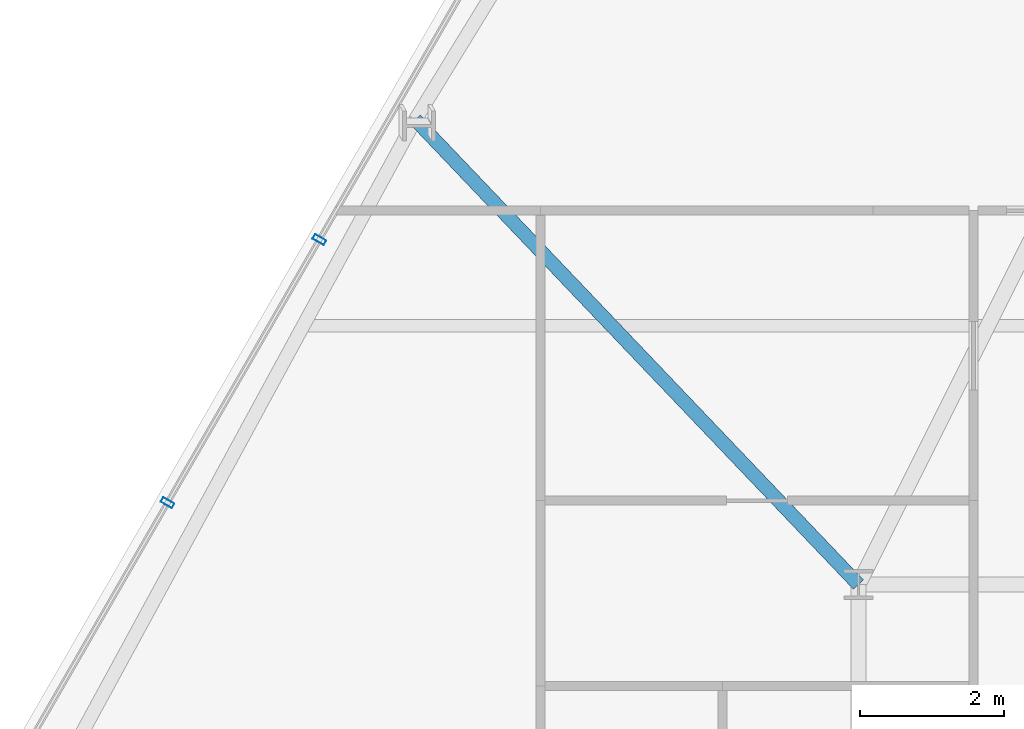
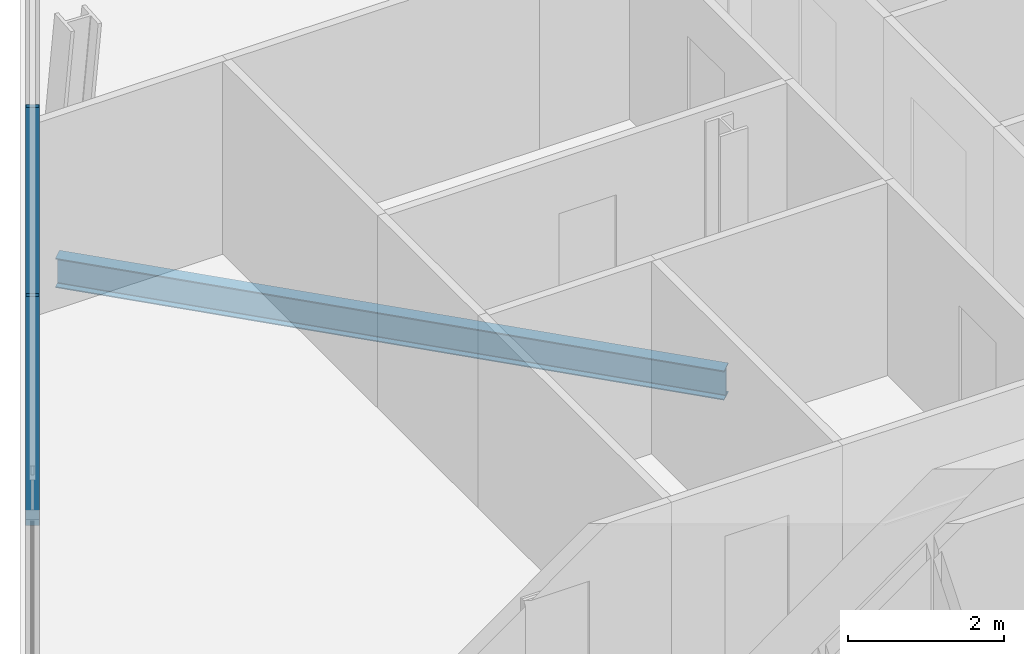
# One storey, part 10 of 33: 2 members, 1 beam, 1 element without a shape of its own.
"""IFC4 building model written with IfcOpenShell, lengths in metres."""

from ifc_helpers import new_model, si_unit, direction, frame, origin, origin_2d, place, context, subcontext, project, spatial, hollow_rectangle, i_section, extrude, material, layer, layer_set, material_profile, profile_set, type_object, element, aggregate, save


model = new_model("IFC4")

# Units and contexts
model_context = context("Model", 3, precision=1e-05, world=origin(), true_north=direction((0.0, 1.0)))
body_context = subcontext(model_context, "Body", "Model", "MODEL_VIEW")
ifc_project = project(units=[si_unit("LENGTHUNIT", "METRE"), si_unit("AREAUNIT", "SQUARE_METRE"), si_unit("VOLUMEUNIT", "CUBIC_METRE"), si_unit("PLANEANGLEUNIT", "RADIAN"), si_unit("MASSUNIT", "GRAM", prefix="KILO")], contexts=[model_context])

# Site, building, storey
site_placement = place(None, origin())
site = spatial("IfcSite", under=ifc_project, at=site_placement, CompositionType="ELEMENT")
building_placement = place(site_placement, origin())
building = spatial("IfcBuilding", under=site, at=building_placement, Name="Ndaravel Arena Tower", CompositionType="ELEMENT")
storey_placement = place(building_placement, frame((0.0, 0.0, 187.800048828125)))
storey = spatial("IfcBuildingStorey", under=building, at=storey_placement, Name="L45", CompositionType="ELEMENT", Elevation=187.800048828125)

# Beam
ifc_material_1 = material(Name="Steel S355", Category="steel")
ifc_material_profile_1 = material_profile(ifc_material_1, i_section(OverallWidth=0.19140625, OverallDepth=0.4599609375, WebThickness=0.010009765625, FlangeThickness=0.01611328125, FilletRadius=0.01025390625, at=origin_2d()), Name="UB 457x191x82")
ifc_profile_set_1 = profile_set([ifc_material_profile_1], Name="Steel S355")
beam_type = type_object("IfcBeamType", Name="BM-GIRD-UB457", PredefinedType="BEAM", material=ifc_profile_set_1)
beam_placement = place(storey_placement, frame((28.036376953125, 29.666015625, -0.449951171875), z_axis=(0.689973121791, -0.723834988934, 0.0), x_axis=(0.723834988934, 0.689973121791, 0.0)))
element("IfcBeam", 1, at=beam_placement, inside=storey, type_object=beam_type, Name="L45 Radial Floor Girder FG-19", PredefinedType="BEAM", context=body_context, shape_type="SweptSolid", body=[
    extrude(i_section(OverallWidth=0.19140625, OverallDepth=0.4599609375, WebThickness=0.010009765625, FlangeThickness=0.01611328125, FilletRadius=0.01025390625, at=origin_2d()), origin(), (0.0, 0.0, 1.0), 8.93310546875),
])

# Curtain wall, members
ifc_material_2 = material(Name="Aluminium", Category="aluminium")
ifc_layer = layer(ifc_material_2, 0.179931640625)
ifc_layer_set = layer_set([ifc_layer], Name="Aluminium")
curtain_wall_type = type_object("IfcCurtainWallType", Name="CW-SYS-03", PredefinedType="NOTDEFINED", material=ifc_layer_set)
curtain_wall_placement = place(storey_placement, origin())
curtain_wall = element("IfcCurtainWall", 2, at=curtain_wall_placement, inside=storey, type_object=curtain_wall_type, Name="L45 Faceted Crystal Curtain Wall CW-L45-E05", PredefinedType="NOTDEFINED")
ifc_material_3 = material(Name="Aluminium", Category="aluminium")
ifc_material_profile_2 = material_profile(ifc_material_3, hollow_rectangle(XDim=0.074951171875, YDim=0.179931640625, WallThickness=0.00390625, at=origin_2d()), Name="CW MULLION 75x180x4")
ifc_profile_set_2 = profile_set([ifc_material_profile_2], Name="Aluminium")
member_type = type_object("IfcMemberType", Name="MEM-CW-MUL180", PredefinedType="MULLION", material=ifc_profile_set_2)
member_1_placement = place(storey_placement, frame((26.702880859375, 27.996337890625, 0.0), z_axis=(0.0, 0.0, 1.0), x_axis=(-0.5, -0.866025403784, 0.0)))
member_1 = element("IfcMember", 3, at=member_1_placement, type_object=member_type, Name="CW-L45-E05 Mullion 05", PredefinedType="MULLION", context=body_context, shape_type="SweptSolid", body=[
    extrude(hollow_rectangle(XDim=0.074951171875, YDim=0.179931640625, WallThickness=0.00390625, at=origin_2d()), origin(), (0.0, 0.0, 1.0), 3.579833984375),
])
member_2_placement = place(storey_placement, frame((24.590087890625, 24.337158203125, 0.0), z_axis=(0.0, 0.0, 1.0), x_axis=(-0.5, -0.866025403784, 0.0)))
member_2 = element("IfcMember", 4, at=member_2_placement, type_object=member_type, Name="CW-L45-E05 Mullion 06", PredefinedType="MULLION", context=body_context, shape_type="SweptSolid", body=[
    extrude(hollow_rectangle(XDim=0.074951171875, YDim=0.179931640625, WallThickness=0.00390625, at=origin_2d()), origin(), (0.0, 0.0, 1.0), 3.579833984375),
])
aggregate(curtain_wall, [member_1, member_2])

save(model, "model.ifc")
